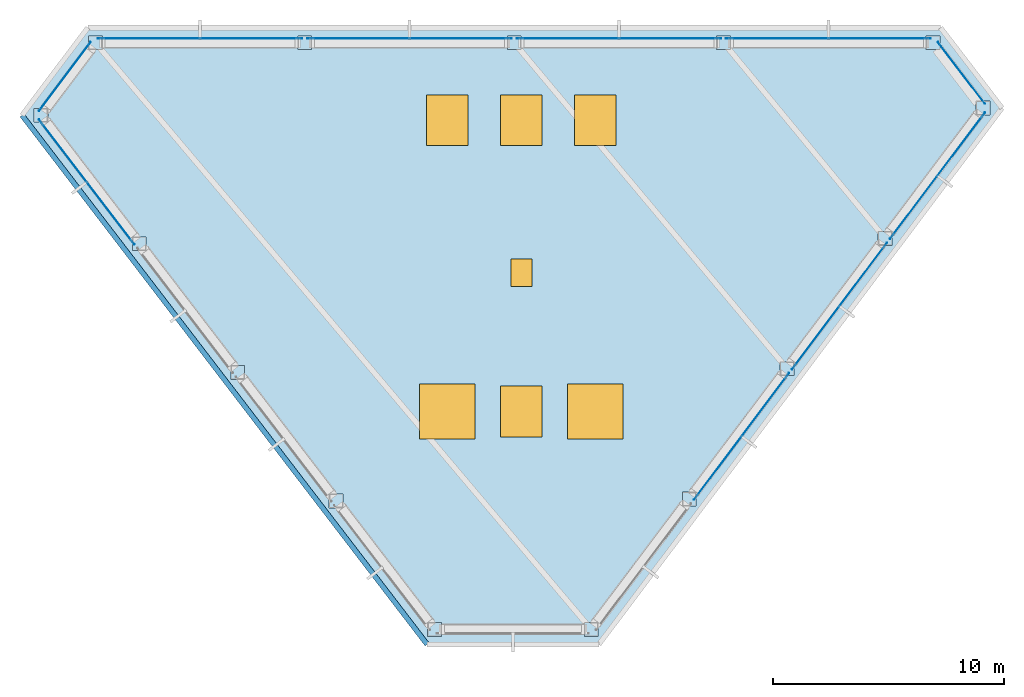
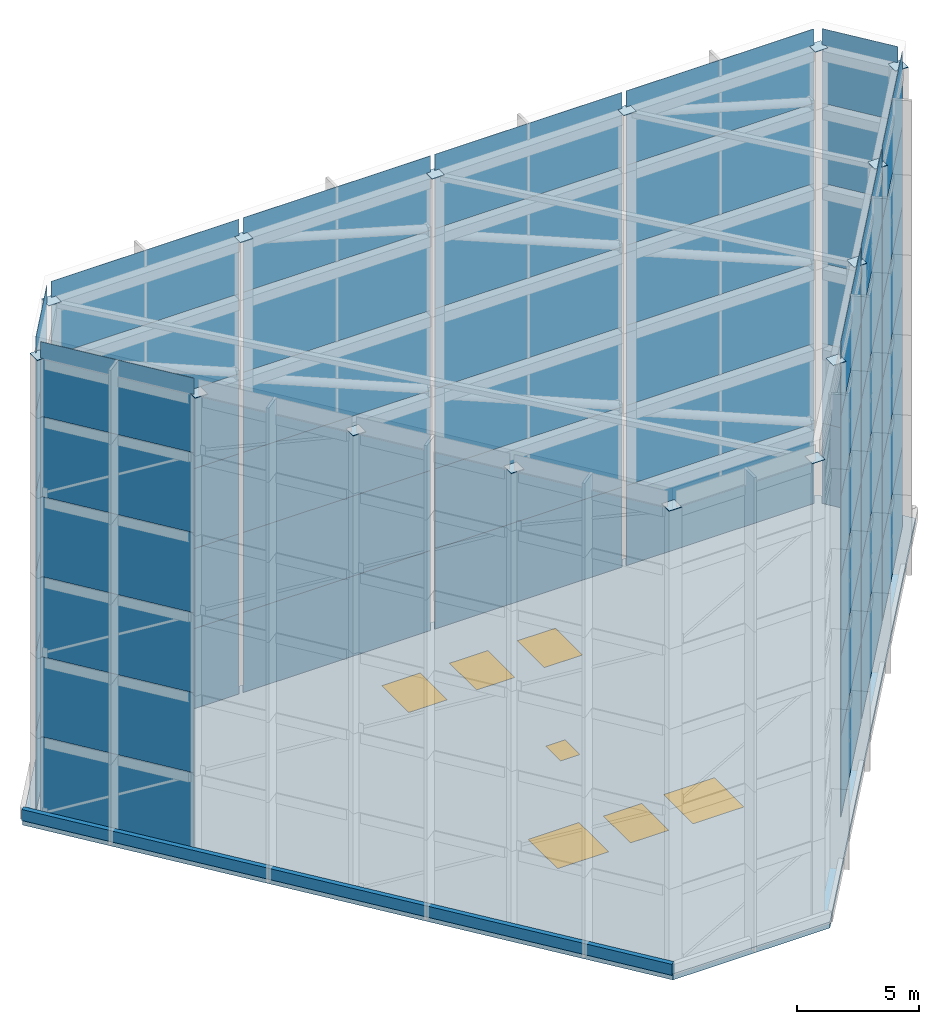
"""IFC4 building model written with IfcOpenShell, lengths in metres."""

from ifc_helpers import new_model, si_unit, direction, frame, frame_2d, origin, origin_2d, place, context, subcontext, project, spatial, polyline, rectangle, outline, extrude, material, layer, layer_set, type_object, element, fill, save


model = new_model("IFC4")

# Units and contexts
model_context = context("Model", 3, precision=1e-05, world=origin(), true_north=direction((0.0, 1.0)))
body_context = subcontext(model_context, "Body", "Model", "MODEL_VIEW")
ifc_project = project(units=[si_unit("LENGTHUNIT", "METRE"), si_unit("AREAUNIT", "SQUARE_METRE"), si_unit("VOLUMEUNIT", "CUBIC_METRE"), si_unit("PLANEANGLEUNIT", "RADIAN"), si_unit("MASSUNIT", "GRAM", prefix="KILO")], contexts=[model_context])

# Site, building, storey
site_placement = place(None, origin())
site = spatial("IfcSite", under=ifc_project, at=site_placement, CompositionType="ELEMENT")
building_placement = place(site_placement, origin())
building = spatial("IfcBuilding", under=site, at=building_placement, Name="Zarrinselat Tower", CompositionType="ELEMENT")
storey_1_placement = place(building_placement, frame((0.0, 0.0, 303.280029296875)))
storey_1 = spatial("IfcBuildingStorey", under=building, at=storey_1_placement, Name="RF", CompositionType="ELEMENT", Elevation=303.280029296875)

# Plates
ifc_material_1 = material(Name="Perforated Architectural Bronze")
ifc_layer_1 = layer(ifc_material_1, 0.02392578125)
ifc_layer_set_1 = layer_set([ifc_layer_1], Name="Perforated Architectural Bronze")
plate_type_1 = type_object("IfcPlateType", Name="PLT-CROWN-SCREEN", PredefinedType="USERDEFINED", material=ifc_layer_set_1)
for number, where, z_axis, x_axis, name in (
    (1, (51.680419921875, 46.929931640625, 0.0), (0.0, 0.0, 1.0), (-1.0, 0.0, 0.0), "RF CROWN SCREEN Bronze Mashrabiya Panel T1-B01"),
    (2, (42.620849609375, 46.929931640625, 0.0), (0.0, 0.0, 1.0), (-1.0, 0.0, 0.0), "RF CROWN SCREEN Bronze Mashrabiya Panel T1-B02"),
    (3, (33.561767578125, 46.929931640625, 0.0), (0.0, 0.0, 1.0), (-1.0, 0.0, 0.0), "RF CROWN SCREEN Bronze Mashrabiya Panel T1-B03"),
    (4, (24.502197265625, 46.929931640625, 0.0), (0.0, 0.0, 1.0), (-1.0, 0.0, 0.0), "RF CROWN SCREEN Bronze Mashrabiya Panel T1-B04"),
):
    element("IfcPlate", number, at=place(storey_1_placement, frame(where, z_axis=z_axis, x_axis=x_axis)), inside=storey_1, type_object=plate_type_1, Name=name, ObjectType="SCREEN", PredefinedType="USERDEFINED", context=body_context, shape_type="SweptSolid", body=[
        extrude(rectangle(XDim=8.859375, YDim=0.02392578125, at=origin_2d()), origin(), (0.0, 0.0, 1.0), 4.0),
    ])
plate_1_placement = place(storey_1_placement, frame((18.650634765625, 45.290771484375, 0.0), z_axis=(0.0, 0.0, 1.0), x_axis=(-0.600848290829, -0.799363078587, 0.0)))
element("IfcPlate", 5, at=plate_1_placement, inside=storey_1, type_object=plate_type_1, Name="RF CROWN SCREEN Bronze Mashrabiya Panel T1-B05", ObjectType="SCREEN", PredefinedType="USERDEFINED", context=body_context, shape_type="SweptSolid", body=[
    extrude(rectangle(XDim=3.7216796875, YDim=0.02392578125, at=origin_2d()), origin(), (0.0, 0.0, 1.0), 4.0),
])
plate_2_placement = place(storey_1_placement, frame((19.601806640625, 40.7255859375, 0.0), z_axis=(0.0, 0.0, 1.0), x_axis=(0.607896295562, -0.79401643172, 0.0)))
element("IfcPlate", 6, at=plate_2_placement, inside=storey_1, type_object=plate_type_1, Name="RF CROWN SCREEN Bronze Mashrabiya Panel T1-B06", ObjectType="SCREEN", PredefinedType="USERDEFINED", context=body_context, shape_type="SweptSolid", body=[
    extrude(rectangle(XDim=6.802978515625, YDim=0.02392578125, at=origin_2d()), origin(), (0.0, 0.0, 1.0), 4.0),
])
for number, where, z_axis, x_axis, name in (
    (7, (47.923828125, 29.721435546875, 0.0), (0.0, 0.0, 1.0), (0.60085267235, 0.799359785159, 0.0), "RF CROWN SCREEN Bronze Mashrabiya Panel T1-B12"),
    (8, (52.161376953125, 35.359130859375, 0.0), (0.0, 0.0, 1.0), (0.60085267235, 0.799359785159, 0.0), "RF CROWN SCREEN Bronze Mashrabiya Panel T1-B13"),
    (9, (56.39892578125, 40.99658203125, 0.0), (0.0, 0.0, 1.0), (0.600843612135, 0.799366595347, 0.0), "RF CROWN SCREEN Bronze Mashrabiya Panel T1-B14"),
):
    element("IfcPlate", number, at=place(storey_1_placement, frame(where, z_axis=z_axis, x_axis=x_axis)), inside=storey_1, type_object=plate_type_1, Name=name, ObjectType="SCREEN", PredefinedType="USERDEFINED", context=body_context, shape_type="SweptSolid", body=[
        extrude(rectangle(XDim=6.8525390625, YDim=0.02392578125, at=origin_2d()), origin(), (0.0, 0.0, 1.0), 4.0),
    ])
plate_3_placement = place(storey_1_placement, frame((57.434814453125, 45.4462890625, 0.0), z_axis=(0.0, 0.0, 1.0), x_axis=(-0.607895281668, 0.794017207953, 0.0)))
element("IfcPlate", 10, at=plate_3_placement, inside=storey_1, type_object=plate_type_1, Name="RF CROWN SCREEN Bronze Mashrabiya Panel T1-B15", ObjectType="SCREEN", PredefinedType="USERDEFINED", context=body_context, shape_type="SweptSolid", body=[
    extrude(rectangle(XDim=3.359619140625, YDim=0.02392578125, at=origin_2d()), origin(), (0.0, 0.0, 1.0), 4.0),
])
for number, where, z_axis, x_axis, name in (
    (11, (51.680419921875, 46.929931640625, 4.0), (0.0, 0.0, 1.0), (-1.0, 0.0, 0.0), "RF CROWN SCREEN Bronze Mashrabiya Panel T2-B01"),
    (12, (42.620849609375, 46.929931640625, 4.0), (0.0, 0.0, 1.0), (-1.0, 0.0, 0.0), "RF CROWN SCREEN Bronze Mashrabiya Panel T2-B02"),
    (13, (33.561767578125, 46.929931640625, 4.0), (0.0, 0.0, 1.0), (-1.0, 0.0, 0.0), "RF CROWN SCREEN Bronze Mashrabiya Panel T2-B03"),
    (14, (24.502197265625, 46.929931640625, 4.0), (0.0, 0.0, 1.0), (-1.0, 0.0, 0.0), "RF CROWN SCREEN Bronze Mashrabiya Panel T2-B04"),
):
    element("IfcPlate", number, at=place(storey_1_placement, frame(where, z_axis=z_axis, x_axis=x_axis)), inside=storey_1, type_object=plate_type_1, Name=name, ObjectType="SCREEN", PredefinedType="USERDEFINED", context=body_context, shape_type="SweptSolid", body=[
        extrude(rectangle(XDim=8.859375, YDim=0.02392578125, at=origin_2d()), origin(), (0.0, 0.0, 1.0), 4.0),
    ])
plate_4_placement = place(storey_1_placement, frame((18.650634765625, 45.290771484375, 4.0), z_axis=(0.0, 0.0, 1.0), x_axis=(-0.600848290829, -0.799363078587, 0.0)))
element("IfcPlate", 15, at=plate_4_placement, inside=storey_1, type_object=plate_type_1, Name="RF CROWN SCREEN Bronze Mashrabiya Panel T2-B05", ObjectType="SCREEN", PredefinedType="USERDEFINED", context=body_context, shape_type="SweptSolid", body=[
    extrude(rectangle(XDim=3.7216796875, YDim=0.02392578125, at=origin_2d()), origin(), (0.0, 0.0, 1.0), 4.0),
])
plate_5_placement = place(storey_1_placement, frame((19.601806640625, 40.7255859375, 4.0), z_axis=(0.0, 0.0, 1.0), x_axis=(0.607896295562, -0.79401643172, 0.0)))
element("IfcPlate", 16, at=plate_5_placement, inside=storey_1, type_object=plate_type_1, Name="RF CROWN SCREEN Bronze Mashrabiya Panel T2-B06", ObjectType="SCREEN", PredefinedType="USERDEFINED", context=body_context, shape_type="SweptSolid", body=[
    extrude(rectangle(XDim=6.802978515625, YDim=0.02392578125, at=origin_2d()), origin(), (0.0, 0.0, 1.0), 4.0),
])
for number, where, z_axis, x_axis, name in (
    (17, (47.923828125, 29.721435546875, 4.0), (0.0, 0.0, 1.0), (0.60085267235, 0.799359785159, 0.0), "RF CROWN SCREEN Bronze Mashrabiya Panel T2-B12"),
    (18, (52.161376953125, 35.359130859375, 4.0), (0.0, 0.0, 1.0), (0.60085267235, 0.799359785159, 0.0), "RF CROWN SCREEN Bronze Mashrabiya Panel T2-B13"),
    (19, (56.39892578125, 40.99658203125, 4.0), (0.0, 0.0, 1.0), (0.600843612135, 0.799366595347, 0.0), "RF CROWN SCREEN Bronze Mashrabiya Panel T2-B14"),
):
    element("IfcPlate", number, at=place(storey_1_placement, frame(where, z_axis=z_axis, x_axis=x_axis)), inside=storey_1, type_object=plate_type_1, Name=name, ObjectType="SCREEN", PredefinedType="USERDEFINED", context=body_context, shape_type="SweptSolid", body=[
        extrude(rectangle(XDim=6.8525390625, YDim=0.02392578125, at=origin_2d()), origin(), (0.0, 0.0, 1.0), 4.0),
    ])
plate_6_placement = place(storey_1_placement, frame((57.434814453125, 45.4462890625, 4.0), z_axis=(0.0, 0.0, 1.0), x_axis=(-0.607895281668, 0.794017207953, 0.0)))
element("IfcPlate", 20, at=plate_6_placement, inside=storey_1, type_object=plate_type_1, Name="RF CROWN SCREEN Bronze Mashrabiya Panel T2-B15", ObjectType="SCREEN", PredefinedType="USERDEFINED", context=body_context, shape_type="SweptSolid", body=[
    extrude(rectangle(XDim=3.359619140625, YDim=0.02392578125, at=origin_2d()), origin(), (0.0, 0.0, 1.0), 4.0),
])
for number, where, z_axis, x_axis, name in (
    (21, (51.680419921875, 46.929931640625, 8.0), (0.0, 0.0, 1.0), (-1.0, 0.0, 0.0), "RF CROWN SCREEN Bronze Mashrabiya Panel T3-B01"),
    (22, (42.620849609375, 46.929931640625, 8.0), (0.0, 0.0, 1.0), (-1.0, 0.0, 0.0), "RF CROWN SCREEN Bronze Mashrabiya Panel T3-B02"),
    (23, (33.561767578125, 46.929931640625, 8.0), (0.0, 0.0, 1.0), (-1.0, 0.0, 0.0), "RF CROWN SCREEN Bronze Mashrabiya Panel T3-B03"),
    (24, (24.502197265625, 46.929931640625, 8.0), (0.0, 0.0, 1.0), (-1.0, 0.0, 0.0), "RF CROWN SCREEN Bronze Mashrabiya Panel T3-B04"),
):
    element("IfcPlate", number, at=place(storey_1_placement, frame(where, z_axis=z_axis, x_axis=x_axis)), inside=storey_1, type_object=plate_type_1, Name=name, ObjectType="SCREEN", PredefinedType="USERDEFINED", context=body_context, shape_type="SweptSolid", body=[
        extrude(rectangle(XDim=8.859375, YDim=0.02392578125, at=origin_2d()), origin(), (0.0, 0.0, 1.0), 4.0),
    ])
plate_7_placement = place(storey_1_placement, frame((18.650634765625, 45.290771484375, 8.0), z_axis=(0.0, 0.0, 1.0), x_axis=(-0.600848290829, -0.799363078587, 0.0)))
element("IfcPlate", 25, at=plate_7_placement, inside=storey_1, type_object=plate_type_1, Name="RF CROWN SCREEN Bronze Mashrabiya Panel T3-B05", ObjectType="SCREEN", PredefinedType="USERDEFINED", context=body_context, shape_type="SweptSolid", body=[
    extrude(rectangle(XDim=3.7216796875, YDim=0.02392578125, at=origin_2d()), origin(), (0.0, 0.0, 1.0), 4.0),
])
plate_8_placement = place(storey_1_placement, frame((19.601806640625, 40.7255859375, 8.0), z_axis=(0.0, 0.0, 1.0), x_axis=(0.607896295562, -0.79401643172, 0.0)))
element("IfcPlate", 26, at=plate_8_placement, inside=storey_1, type_object=plate_type_1, Name="RF CROWN SCREEN Bronze Mashrabiya Panel T3-B06", ObjectType="SCREEN", PredefinedType="USERDEFINED", context=body_context, shape_type="SweptSolid", body=[
    extrude(rectangle(XDim=6.802978515625, YDim=0.02392578125, at=origin_2d()), origin(), (0.0, 0.0, 1.0), 4.0),
])
for number, where, z_axis, x_axis, name in (
    (27, (47.923828125, 29.721435546875, 8.0), (0.0, 0.0, 1.0), (0.60085267235, 0.799359785159, 0.0), "RF CROWN SCREEN Bronze Mashrabiya Panel T3-B12"),
    (28, (52.161376953125, 35.359130859375, 8.0), (0.0, 0.0, 1.0), (0.60085267235, 0.799359785159, 0.0), "RF CROWN SCREEN Bronze Mashrabiya Panel T3-B13"),
    (29, (56.39892578125, 40.99658203125, 8.0), (0.0, 0.0, 1.0), (0.600843612135, 0.799366595347, 0.0), "RF CROWN SCREEN Bronze Mashrabiya Panel T3-B14"),
):
    element("IfcPlate", number, at=place(storey_1_placement, frame(where, z_axis=z_axis, x_axis=x_axis)), inside=storey_1, type_object=plate_type_1, Name=name, ObjectType="SCREEN", PredefinedType="USERDEFINED", context=body_context, shape_type="SweptSolid", body=[
        extrude(rectangle(XDim=6.8525390625, YDim=0.02392578125, at=origin_2d()), origin(), (0.0, 0.0, 1.0), 4.0),
    ])
plate_9_placement = place(storey_1_placement, frame((57.434814453125, 45.4462890625, 8.0), z_axis=(0.0, 0.0, 1.0), x_axis=(-0.607895281668, 0.794017207953, 0.0)))
element("IfcPlate", 30, at=plate_9_placement, inside=storey_1, type_object=plate_type_1, Name="RF CROWN SCREEN Bronze Mashrabiya Panel T3-B15", ObjectType="SCREEN", PredefinedType="USERDEFINED", context=body_context, shape_type="SweptSolid", body=[
    extrude(rectangle(XDim=3.359619140625, YDim=0.02392578125, at=origin_2d()), origin(), (0.0, 0.0, 1.0), 4.0),
])
for number, where, z_axis, x_axis, name in (
    (31, (51.680419921875, 46.929931640625, 12.0), (0.0, 0.0, 1.0), (-1.0, 0.0, 0.0), "RF CROWN SCREEN Bronze Mashrabiya Panel T4-B01"),
    (32, (42.620849609375, 46.929931640625, 12.0), (0.0, 0.0, 1.0), (-1.0, 0.0, 0.0), "RF CROWN SCREEN Bronze Mashrabiya Panel T4-B02"),
    (33, (33.561767578125, 46.929931640625, 12.0), (0.0, 0.0, 1.0), (-1.0, 0.0, 0.0), "RF CROWN SCREEN Bronze Mashrabiya Panel T4-B03"),
    (34, (24.502197265625, 46.929931640625, 12.0), (0.0, 0.0, 1.0), (-1.0, 0.0, 0.0), "RF CROWN SCREEN Bronze Mashrabiya Panel T4-B04"),
):
    element("IfcPlate", number, at=place(storey_1_placement, frame(where, z_axis=z_axis, x_axis=x_axis)), inside=storey_1, type_object=plate_type_1, Name=name, ObjectType="SCREEN", PredefinedType="USERDEFINED", context=body_context, shape_type="SweptSolid", body=[
        extrude(rectangle(XDim=8.859375, YDim=0.02392578125, at=origin_2d()), origin(), (0.0, 0.0, 1.0), 4.0),
    ])
plate_10_placement = place(storey_1_placement, frame((18.650634765625, 45.290771484375, 12.0), z_axis=(0.0, 0.0, 1.0), x_axis=(-0.600848290829, -0.799363078587, 0.0)))
element("IfcPlate", 35, at=plate_10_placement, inside=storey_1, type_object=plate_type_1, Name="RF CROWN SCREEN Bronze Mashrabiya Panel T4-B05", ObjectType="SCREEN", PredefinedType="USERDEFINED", context=body_context, shape_type="SweptSolid", body=[
    extrude(rectangle(XDim=3.7216796875, YDim=0.02392578125, at=origin_2d()), origin(), (0.0, 0.0, 1.0), 4.0),
])
plate_11_placement = place(storey_1_placement, frame((19.601806640625, 40.7255859375, 12.0), z_axis=(0.0, 0.0, 1.0), x_axis=(0.607896295562, -0.79401643172, 0.0)))
element("IfcPlate", 36, at=plate_11_placement, inside=storey_1, type_object=plate_type_1, Name="RF CROWN SCREEN Bronze Mashrabiya Panel T4-B06", ObjectType="SCREEN", PredefinedType="USERDEFINED", context=body_context, shape_type="SweptSolid", body=[
    extrude(rectangle(XDim=6.802978515625, YDim=0.02392578125, at=origin_2d()), origin(), (0.0, 0.0, 1.0), 4.0),
])
for number, where, z_axis, x_axis, name in (
    (37, (47.923828125, 29.721435546875, 12.0), (0.0, 0.0, 1.0), (0.60085267235, 0.799359785159, 0.0), "RF CROWN SCREEN Bronze Mashrabiya Panel T4-B12"),
    (38, (52.161376953125, 35.359130859375, 12.0), (0.0, 0.0, 1.0), (0.60085267235, 0.799359785159, 0.0), "RF CROWN SCREEN Bronze Mashrabiya Panel T4-B13"),
    (39, (56.39892578125, 40.99658203125, 12.0), (0.0, 0.0, 1.0), (0.600843612135, 0.799366595347, 0.0), "RF CROWN SCREEN Bronze Mashrabiya Panel T4-B14"),
):
    element("IfcPlate", number, at=place(storey_1_placement, frame(where, z_axis=z_axis, x_axis=x_axis)), inside=storey_1, type_object=plate_type_1, Name=name, ObjectType="SCREEN", PredefinedType="USERDEFINED", context=body_context, shape_type="SweptSolid", body=[
        extrude(rectangle(XDim=6.8525390625, YDim=0.02392578125, at=origin_2d()), origin(), (0.0, 0.0, 1.0), 4.0),
    ])
plate_12_placement = place(storey_1_placement, frame((57.434814453125, 45.4462890625, 12.0), z_axis=(0.0, 0.0, 1.0), x_axis=(-0.607895281668, 0.794017207953, 0.0)))
element("IfcPlate", 40, at=plate_12_placement, inside=storey_1, type_object=plate_type_1, Name="RF CROWN SCREEN Bronze Mashrabiya Panel T4-B15", ObjectType="SCREEN", PredefinedType="USERDEFINED", context=body_context, shape_type="SweptSolid", body=[
    extrude(rectangle(XDim=3.359619140625, YDim=0.02392578125, at=origin_2d()), origin(), (0.0, 0.0, 1.0), 4.0),
])
for number, where, z_axis, x_axis, name in (
    (41, (51.680419921875, 46.929931640625, 16.0), (0.0, 0.0, 1.0), (-1.0, 0.0, 0.0), "RF CROWN SCREEN Bronze Mashrabiya Panel T5-B01"),
    (42, (42.620849609375, 46.929931640625, 16.0), (0.0, 0.0, 1.0), (-1.0, 0.0, 0.0), "RF CROWN SCREEN Bronze Mashrabiya Panel T5-B02"),
    (43, (33.561767578125, 46.929931640625, 16.0), (0.0, 0.0, 1.0), (-1.0, 0.0, 0.0), "RF CROWN SCREEN Bronze Mashrabiya Panel T5-B03"),
    (44, (24.502197265625, 46.929931640625, 16.0), (0.0, 0.0, 1.0), (-1.0, 0.0, 0.0), "RF CROWN SCREEN Bronze Mashrabiya Panel T5-B04"),
):
    element("IfcPlate", number, at=place(storey_1_placement, frame(where, z_axis=z_axis, x_axis=x_axis)), inside=storey_1, type_object=plate_type_1, Name=name, ObjectType="SCREEN", PredefinedType="USERDEFINED", context=body_context, shape_type="SweptSolid", body=[
        extrude(rectangle(XDim=8.859375, YDim=0.02392578125, at=origin_2d()), origin(), (0.0, 0.0, 1.0), 4.0),
    ])
plate_13_placement = place(storey_1_placement, frame((18.650634765625, 45.290771484375, 16.0), z_axis=(0.0, 0.0, 1.0), x_axis=(-0.600848290829, -0.799363078587, 0.0)))
element("IfcPlate", 45, at=plate_13_placement, inside=storey_1, type_object=plate_type_1, Name="RF CROWN SCREEN Bronze Mashrabiya Panel T5-B05", ObjectType="SCREEN", PredefinedType="USERDEFINED", context=body_context, shape_type="SweptSolid", body=[
    extrude(rectangle(XDim=3.7216796875, YDim=0.02392578125, at=origin_2d()), origin(), (0.0, 0.0, 1.0), 4.0),
])
plate_14_placement = place(storey_1_placement, frame((19.601806640625, 40.7255859375, 16.0), z_axis=(0.0, 0.0, 1.0), x_axis=(0.607896295562, -0.79401643172, 0.0)))
element("IfcPlate", 46, at=plate_14_placement, inside=storey_1, type_object=plate_type_1, Name="RF CROWN SCREEN Bronze Mashrabiya Panel T5-B06", ObjectType="SCREEN", PredefinedType="USERDEFINED", context=body_context, shape_type="SweptSolid", body=[
    extrude(rectangle(XDim=6.802978515625, YDim=0.02392578125, at=origin_2d()), origin(), (0.0, 0.0, 1.0), 4.0),
])
for number, where, z_axis, x_axis, name in (
    (47, (47.923828125, 29.721435546875, 16.0), (0.0, 0.0, 1.0), (0.60085267235, 0.799359785159, 0.0), "RF CROWN SCREEN Bronze Mashrabiya Panel T5-B12"),
    (48, (52.161376953125, 35.359130859375, 16.0), (0.0, 0.0, 1.0), (0.60085267235, 0.799359785159, 0.0), "RF CROWN SCREEN Bronze Mashrabiya Panel T5-B13"),
    (49, (56.39892578125, 40.99658203125, 16.0), (0.0, 0.0, 1.0), (0.600843612135, 0.799366595347, 0.0), "RF CROWN SCREEN Bronze Mashrabiya Panel T5-B14"),
):
    element("IfcPlate", number, at=place(storey_1_placement, frame(where, z_axis=z_axis, x_axis=x_axis)), inside=storey_1, type_object=plate_type_1, Name=name, ObjectType="SCREEN", PredefinedType="USERDEFINED", context=body_context, shape_type="SweptSolid", body=[
        extrude(rectangle(XDim=6.8525390625, YDim=0.02392578125, at=origin_2d()), origin(), (0.0, 0.0, 1.0), 4.0),
    ])
plate_15_placement = place(storey_1_placement, frame((57.434814453125, 45.4462890625, 16.0), z_axis=(0.0, 0.0, 1.0), x_axis=(-0.607895281668, 0.794017207953, 0.0)))
element("IfcPlate", 50, at=plate_15_placement, inside=storey_1, type_object=plate_type_1, Name="RF CROWN SCREEN Bronze Mashrabiya Panel T5-B15", ObjectType="SCREEN", PredefinedType="USERDEFINED", context=body_context, shape_type="SweptSolid", body=[
    extrude(rectangle(XDim=3.359619140625, YDim=0.02392578125, at=origin_2d()), origin(), (0.0, 0.0, 1.0), 4.0),
])
for number, where, z_axis, x_axis, name in (
    (51, (51.680419921875, 46.929931640625, 20.0), (0.0, 0.0, 1.0), (-1.0, 0.0, 0.0), "RF CROWN SCREEN Bronze Mashrabiya Panel T6-B01"),
    (52, (42.620849609375, 46.929931640625, 20.0), (0.0, 0.0, 1.0), (-1.0, 0.0, 0.0), "RF CROWN SCREEN Bronze Mashrabiya Panel T6-B02"),
    (53, (33.561767578125, 46.929931640625, 20.0), (0.0, 0.0, 1.0), (-1.0, 0.0, 0.0), "RF CROWN SCREEN Bronze Mashrabiya Panel T6-B03"),
    (54, (24.502197265625, 46.929931640625, 20.0), (0.0, 0.0, 1.0), (-1.0, 0.0, 0.0), "RF CROWN SCREEN Bronze Mashrabiya Panel T6-B04"),
):
    element("IfcPlate", number, at=place(storey_1_placement, frame(where, z_axis=z_axis, x_axis=x_axis)), inside=storey_1, type_object=plate_type_1, Name=name, ObjectType="SCREEN", PredefinedType="USERDEFINED", context=body_context, shape_type="SweptSolid", body=[
        extrude(rectangle(XDim=8.859375, YDim=0.02392578125, at=origin_2d()), origin(), (0.0, 0.0, 1.0), 3.719970703125),
    ])
plate_16_placement = place(storey_1_placement, frame((18.650634765625, 45.290771484375, 20.0), z_axis=(0.0, 0.0, 1.0), x_axis=(-0.600848290829, -0.799363078587, 0.0)))
element("IfcPlate", 55, at=plate_16_placement, inside=storey_1, type_object=plate_type_1, Name="RF CROWN SCREEN Bronze Mashrabiya Panel T6-B05", ObjectType="SCREEN", PredefinedType="USERDEFINED", context=body_context, shape_type="SweptSolid", body=[
    extrude(rectangle(XDim=3.7216796875, YDim=0.02392578125, at=origin_2d()), origin(), (0.0, 0.0, 1.0), 3.719970703125),
])
plate_17_placement = place(storey_1_placement, frame((19.601806640625, 40.7255859375, 20.0), z_axis=(0.0, 0.0, 1.0), x_axis=(0.607896295562, -0.79401643172, 0.0)))
element("IfcPlate", 56, at=plate_17_placement, inside=storey_1, type_object=plate_type_1, Name="RF CROWN SCREEN Bronze Mashrabiya Panel T6-B06", ObjectType="SCREEN", PredefinedType="USERDEFINED", context=body_context, shape_type="SweptSolid", body=[
    extrude(rectangle(XDim=6.802978515625, YDim=0.02392578125, at=origin_2d()), origin(), (0.0, 0.0, 1.0), 3.719970703125),
])
for number, where, z_axis, x_axis, name in (
    (57, (47.923828125, 29.721435546875, 20.0), (0.0, 0.0, 1.0), (0.60085267235, 0.799359785159, 0.0), "RF CROWN SCREEN Bronze Mashrabiya Panel T6-B12"),
    (58, (52.161376953125, 35.359130859375, 20.0), (0.0, 0.0, 1.0), (0.60085267235, 0.799359785159, 0.0), "RF CROWN SCREEN Bronze Mashrabiya Panel T6-B13"),
    (59, (56.39892578125, 40.99658203125, 20.0), (0.0, 0.0, 1.0), (0.600843612135, 0.799366595347, 0.0), "RF CROWN SCREEN Bronze Mashrabiya Panel T6-B14"),
):
    element("IfcPlate", number, at=place(storey_1_placement, frame(where, z_axis=z_axis, x_axis=x_axis)), inside=storey_1, type_object=plate_type_1, Name=name, ObjectType="SCREEN", PredefinedType="USERDEFINED", context=body_context, shape_type="SweptSolid", body=[
        extrude(rectangle(XDim=6.8525390625, YDim=0.02392578125, at=origin_2d()), origin(), (0.0, 0.0, 1.0), 3.719970703125),
    ])
plate_18_placement = place(storey_1_placement, frame((57.434814453125, 45.4462890625, 20.0), z_axis=(0.0, 0.0, 1.0), x_axis=(-0.607895281668, 0.794017207953, 0.0)))
element("IfcPlate", 60, at=plate_18_placement, inside=storey_1, type_object=plate_type_1, Name="RF CROWN SCREEN Bronze Mashrabiya Panel T6-B15", ObjectType="SCREEN", PredefinedType="USERDEFINED", context=body_context, shape_type="SweptSolid", body=[
    extrude(rectangle(XDim=3.359619140625, YDim=0.02392578125, at=origin_2d()), origin(), (0.0, 0.0, 1.0), 3.719970703125),
])
ifc_material_2 = material(Name="Steel S355J2", Category="steel")
ifc_layer_2 = layer(ifc_material_2, 0.031982421875)
ifc_layer_set_2 = layer_set([ifc_layer_2], Name="Steel S355J2")
plate_type_2 = type_object("IfcPlateType", Name="PLT-ENDCAP-32", PredefinedType="USERDEFINED", material=ifc_layer_set_2)
for number, where, z_axis, x_axis, name in (
    (61, (56.2099609375, 46.75, 22.88818359375), (0.0, 0.0, 1.0), (1.0, 0.0, 0.0), "RF CROWN FRAME Post Cap Plate 01"),
    (62, (47.150634765625, 46.75, 22.88818359375), (0.0, 0.0, 1.0), (1.0, 0.0, 0.0), "RF CROWN FRAME Post Cap Plate 02"),
    (63, (38.09130859375, 46.75, 22.88818359375), (0.0, 0.0, 1.0), (1.0, 0.0, 0.0), "RF CROWN FRAME Post Cap Plate 03"),
    (64, (29.031982421875, 46.75, 22.88818359375), (0.0, 0.0, 1.0), (1.0, 0.0, 0.0), "RF CROWN FRAME Post Cap Plate 04"),
    (65, (19.97265625, 46.75, 22.88818359375), (0.0, 0.0, 1.0), (1.0, 0.0, 0.0), "RF CROWN FRAME Post Cap Plate 05"),
    (66, (17.6162109375, 43.615234375, 22.88818359375), (0.0, 0.0, 1.0), (1.0, 0.0, 0.0), "RF CROWN FRAME Post Cap Plate 06"),
    (67, (21.873291015625, 38.0546875, 22.88818359375), (0.0, 0.0, 1.0), (1.0, 0.0, 0.0), "RF CROWN FRAME Post Cap Plate 07"),
    (68, (26.130615234375, 32.494384765625, 22.88818359375), (0.0, 0.0, 1.0), (1.0, 0.0, 0.0), "RF CROWN FRAME Post Cap Plate 08"),
    (69, (30.3876953125, 26.933837890625, 22.88818359375), (0.0, 0.0, 1.0), (1.0, 0.0, 0.0), "RF CROWN FRAME Post Cap Plate 09"),
    (70, (34.644775390625, 21.373291015625, 22.88818359375), (0.0, 0.0, 1.0), (1.0, 0.0, 0.0), "RF CROWN FRAME Post Cap Plate 10"),
    (71, (41.423583984375, 21.373291015625, 22.88818359375), (0.0, 0.0, 1.0), (1.0, 0.0, 0.0), "RF CROWN FRAME Post Cap Plate 11"),
    (72, (45.6611328125, 27.010986328125, 22.88818359375), (0.0, 0.0, 1.0), (1.0, 0.0, 0.0), "RF CROWN FRAME Post Cap Plate 12"),
    (73, (49.898681640625, 32.6484375, 22.88818359375), (0.0, 0.0, 1.0), (1.0, 0.0, 0.0), "RF CROWN FRAME Post Cap Plate 13"),
    (74, (54.13623046875, 38.2861328125, 22.88818359375), (0.0, 0.0, 1.0), (1.0, 0.0, 0.0), "RF CROWN FRAME Post Cap Plate 14"),
    (75, (58.373779296875, 43.923583984375, 22.88818359375), (0.0, 0.0, 1.0), (1.0, 0.0, 0.0), "RF CROWN FRAME Post Cap Plate 15"),
):
    element("IfcPlate", number, at=place(storey_1_placement, frame(where, z_axis=z_axis, x_axis=x_axis)), inside=storey_1, type_object=plate_type_2, Name=name, ObjectType="GUSSET_PLATE", PredefinedType="USERDEFINED", context=body_context, shape_type="SweptSolid", body=[
        extrude(rectangle(XDim=0.60009765625, YDim=0.60009765625, at=origin_2d()), origin(), (0.0, 0.0, 1.0), 0.031982421875),
    ])

# Slab, openings
ifc_material_3 = material(Name="Concrete C40/50", Category="concrete")
ifc_layer_3 = layer(ifc_material_3, 0.300048828125)
ifc_layer_set_3 = layer_set([ifc_layer_3], Name="Concrete C40/50")
slab_type = type_object("IfcSlabType", Name="SLB-ROOF-300-SL-RF300", PredefinedType="ROOF", material=ifc_layer_set_3)
slab_placement = place(storey_1_placement, frame((0.0, 0.0, -0.300048828125)))
slab = element("IfcSlab", 76, at=slab_placement, inside=storey_1, type_object=slab_type, Name="RF Primary Structural Slab", PredefinedType="ROOF", context=body_context, shape_type="SweptSolid", body=[
    extrude(outline(polyline([(56.531005859375, 47.39990234375), (19.64794921875, 47.39990234375), (16.80029296875, 43.611572265625), (34.32373046875, 20.723388671875), (41.748291015625, 20.723388671875), (59.189697265625, 43.92724609375), (56.531005859375, 47.39990234375)])), origin(), (0.0, 0.0, 1.0), 0.300048828125),
])
opening_1_placement = place(slab_placement, frame((35.199951171875, 30.800048828125, 0.0)))
opening_1 = element("IfcOpeningElement", 77, at=opening_1_placement, cuts=slab, Name="Opening SK-1", PredefinedType="OPENING", context=body_context, shape_type="SweptSolid", body=[
    extrude(rectangle(XDim=2.39990234375, YDim=2.39990234375, at=origin_2d()), origin(), (0.0, 0.0, 1.0), 0.300048828125),
])
opening_2_placement = place(slab_placement, frame((41.60009765625, 30.800048828125, 0.0)))
opening_2 = element("IfcOpeningElement", 78, at=opening_2_placement, cuts=slab, Name="Opening SK-1", PredefinedType="OPENING", context=body_context, shape_type="SweptSolid", body=[
    extrude(rectangle(XDim=2.39990234375, YDim=2.39990234375, at=origin_2d()), origin(), (0.0, 0.0, 1.0), 0.300048828125),
])
opening_3_placement = place(slab_placement, frame((35.199951171875, 43.39990234375, 0.0)))
opening_3 = element("IfcOpeningElement", 79, at=opening_3_placement, cuts=slab, Name="Opening SK-2", PredefinedType="OPENING", context=body_context, shape_type="SweptSolid", body=[
    extrude(rectangle(XDim=1.800048828125, YDim=2.199951171875, at=origin_2d()), origin(), (0.0, 0.0, 1.0), 0.300048828125),
])
opening_4_placement = place(slab_placement, frame((38.39990234375, 43.39990234375, 0.0)))
opening_4 = element("IfcOpeningElement", 80, at=opening_4_placement, cuts=slab, Name="Opening SK-2", PredefinedType="OPENING", context=body_context, shape_type="SweptSolid", body=[
    extrude(rectangle(XDim=1.800048828125, YDim=2.199951171875, at=origin_2d()), origin(), (0.0, 0.0, 1.0), 0.300048828125),
])
opening_5_placement = place(slab_placement, frame((41.60009765625, 43.39990234375, 0.0)))
opening_5 = element("IfcOpeningElement", 81, at=opening_5_placement, cuts=slab, Name="Opening SK-2", PredefinedType="OPENING", context=body_context, shape_type="SweptSolid", body=[
    extrude(rectangle(XDim=1.800048828125, YDim=2.199951171875, at=origin_2d()), origin(), (0.0, 0.0, 1.0), 0.300048828125),
])
opening_6_placement = place(slab_placement, frame((38.39990234375, 30.800048828125, 0.0)))
opening_6 = element("IfcOpeningElement", 82, at=opening_6_placement, cuts=slab, Name="Opening SK-2", PredefinedType="OPENING", context=body_context, shape_type="SweptSolid", body=[
    extrude(rectangle(XDim=1.800048828125, YDim=2.199951171875, at=origin_2d()), origin(), (0.0, 0.0, 1.0), 0.300048828125),
])
opening_7_placement = place(slab_placement, frame((38.39990234375, 36.800048828125, 0.0)))
opening_7 = element("IfcOpeningElement", 83, at=opening_7_placement, cuts=slab, Name="Opening RH-1", PredefinedType="OPENING", context=body_context, shape_type="SweptSolid", body=[
    extrude(rectangle(XDim=0.89990234375, YDim=1.199951171875, at=origin_2d()), origin(), (0.0, 0.0, 1.0), 0.300048828125),
])

# Storey
storey_2_placement = place(building_placement, frame((0.0, 0.0, 299.199951171875)))
storey_2 = spatial("IfcBuildingStorey", under=building, at=storey_2_placement, Name="L77", CompositionType="ELEMENT", Elevation=299.199951171875)

# Window
ifc_material_4 = material(Name="Double Low-E Laminated Solar Glass", Category="glass")
window_type_1 = type_object("IfcWindowType", Name="WIN-HATCH-1200", PartitioningType="SINGLE_PANEL", PredefinedType="SKYLIGHT", material=ifc_material_4)
window_1_placement = place(opening_7_placement, frame((0.0, 0.0, 0.25)))
window_1 = element("IfcWindow", 84, at=window_1_placement, inside=storey_2, type_object=window_type_1, Name="RF Roof Maintenance Access Hatch RH-01", OverallHeight=1.199951171875, OverallWidth=0.89990234375, PartitioningType="SINGLE_PANEL", PredefinedType="SKYLIGHT", context=body_context, shape_type="SweptSolid", body=[
    extrude(rectangle(XDim=0.89990234375, YDim=1.199951171875, at=origin_2d()), origin(), (0.0, 0.0, 1.0), 0.050048828125),
])

fill(opening_7, window_1)

ifc_material_5 = material(Name="Double Low-E Laminated Solar Glass", Category="glass")
window_type_2 = type_object("IfcWindowType", Name="WIN-SKYLIGHT-1800", PartitioningType="SINGLE_PANEL", PredefinedType="SKYLIGHT", material=ifc_material_5)
window_2_placement = place(opening_3_placement, frame((0.0, 0.0, 0.25)))
window_2 = element("IfcWindow", 85, at=window_2_placement, inside=storey_2, type_object=window_type_2, Name="RF Penthouse Daylight Skylight 3", OverallHeight=2.199951171875, OverallWidth=1.800048828125, PartitioningType="SINGLE_PANEL", PredefinedType="SKYLIGHT", context=body_context, shape_type="SweptSolid", body=[
    extrude(rectangle(XDim=1.800048828125, YDim=2.199951171875, at=origin_2d()), origin(), (0.0, 0.0, 1.0), 0.050048828125),
])

fill(opening_3, window_2)

window_3_placement = place(opening_4_placement, frame((0.0, 0.0, 0.25)))
window_3 = element("IfcWindow", 86, at=window_3_placement, inside=storey_2, type_object=window_type_2, Name="RF Penthouse Daylight Skylight 4", OverallHeight=2.199951171875, OverallWidth=1.800048828125, PartitioningType="SINGLE_PANEL", PredefinedType="SKYLIGHT", context=body_context, shape_type="SweptSolid", body=[
    extrude(rectangle(XDim=1.800048828125, YDim=2.199951171875, at=origin_2d()), origin(), (0.0, 0.0, 1.0), 0.050048828125),
])

fill(opening_4, window_3)

window_4_placement = place(opening_5_placement, frame((0.0, 0.0, 0.25)))
window_4 = element("IfcWindow", 87, at=window_4_placement, inside=storey_2, type_object=window_type_2, Name="RF Penthouse Daylight Skylight 5", OverallHeight=2.199951171875, OverallWidth=1.800048828125, PartitioningType="SINGLE_PANEL", PredefinedType="SKYLIGHT", context=body_context, shape_type="SweptSolid", body=[
    extrude(rectangle(XDim=1.800048828125, YDim=2.199951171875, at=origin_2d()), origin(), (0.0, 0.0, 1.0), 0.050048828125),
])

fill(opening_5, window_4)

window_5_placement = place(opening_6_placement, frame((0.0, 0.0, 0.25)))
window_5 = element("IfcWindow", 88, at=window_5_placement, inside=storey_2, type_object=window_type_2, Name="RF Penthouse Daylight Skylight 6", OverallHeight=2.199951171875, OverallWidth=1.800048828125, PartitioningType="SINGLE_PANEL", PredefinedType="SKYLIGHT", context=body_context, shape_type="SweptSolid", body=[
    extrude(rectangle(XDim=1.800048828125, YDim=2.199951171875, at=origin_2d()), origin(), (0.0, 0.0, 1.0), 0.050048828125),
])

fill(opening_6, window_5)

ifc_material_6 = material(Name="Double Low-E Laminated Solar Glass", Category="glass")
window_type_3 = type_object("IfcWindowType", Name="WIN-SKYLIGHT-2400", PartitioningType="SINGLE_PANEL", PredefinedType="SKYLIGHT", material=ifc_material_6)
window_6_placement = place(opening_1_placement, frame((0.0, 0.0, 0.25)))
window_6 = element("IfcWindow", 89, at=window_6_placement, inside=storey_2, type_object=window_type_3, Name="RF Penthouse Daylight Skylight 1", OverallHeight=2.39990234375, OverallWidth=2.39990234375, PartitioningType="SINGLE_PANEL", PredefinedType="SKYLIGHT", context=body_context, shape_type="SweptSolid", body=[
    extrude(rectangle(XDim=2.39990234375, YDim=2.39990234375, at=origin_2d()), origin(), (0.0, 0.0, 1.0), 0.050048828125),
])

fill(opening_1, window_6)

window_7_placement = place(opening_2_placement, frame((0.0, 0.0, 0.25)))
window_7 = element("IfcWindow", 90, at=window_7_placement, inside=storey_2, type_object=window_type_3, Name="RF Penthouse Daylight Skylight 2", OverallHeight=2.39990234375, OverallWidth=2.39990234375, PartitioningType="SINGLE_PANEL", PredefinedType="SKYLIGHT", context=body_context, shape_type="SweptSolid", body=[
    extrude(rectangle(XDim=2.39990234375, YDim=2.39990234375, at=origin_2d()), origin(), (0.0, 0.0, 1.0), 0.050048828125),
])

fill(opening_2, window_7)

# Wall
ifc_material_7 = material(Name="Precast concrete C40/50", Category="concrete")
ifc_layer_4 = layer(ifc_material_7, 0.219970703125)
ifc_layer_set_4 = layer_set([ifc_layer_4], Name="Precast concrete C40/50")
wall_type = type_object("IfcWallType", Name="WAL-PARAPET-220", PredefinedType="PARAPET", material=ifc_layer_set_4)
wall_placement = place(storey_1_placement, frame((16.80029296875, 43.611572265625, 0.0), z_axis=(0.0, 0.0, 1.0), x_axis=(0.60790332771, -0.794011047882, 0.0)))
element("IfcWall", 91, at=wall_placement, inside=storey_1, type_object=wall_type, Name="RF Roof Perimeter Parapet 3", PredefinedType="PARAPET", context=body_context, shape_type="SweptSolid", body=[
    extrude(rectangle(XDim=28.825927734375, YDim=0.219970703125, at=frame_2d((14.4130859375, 0.0))), origin(), (0.0, 0.0, 1.0), 0.550048828125),
])

save(model, "model.ifc")
